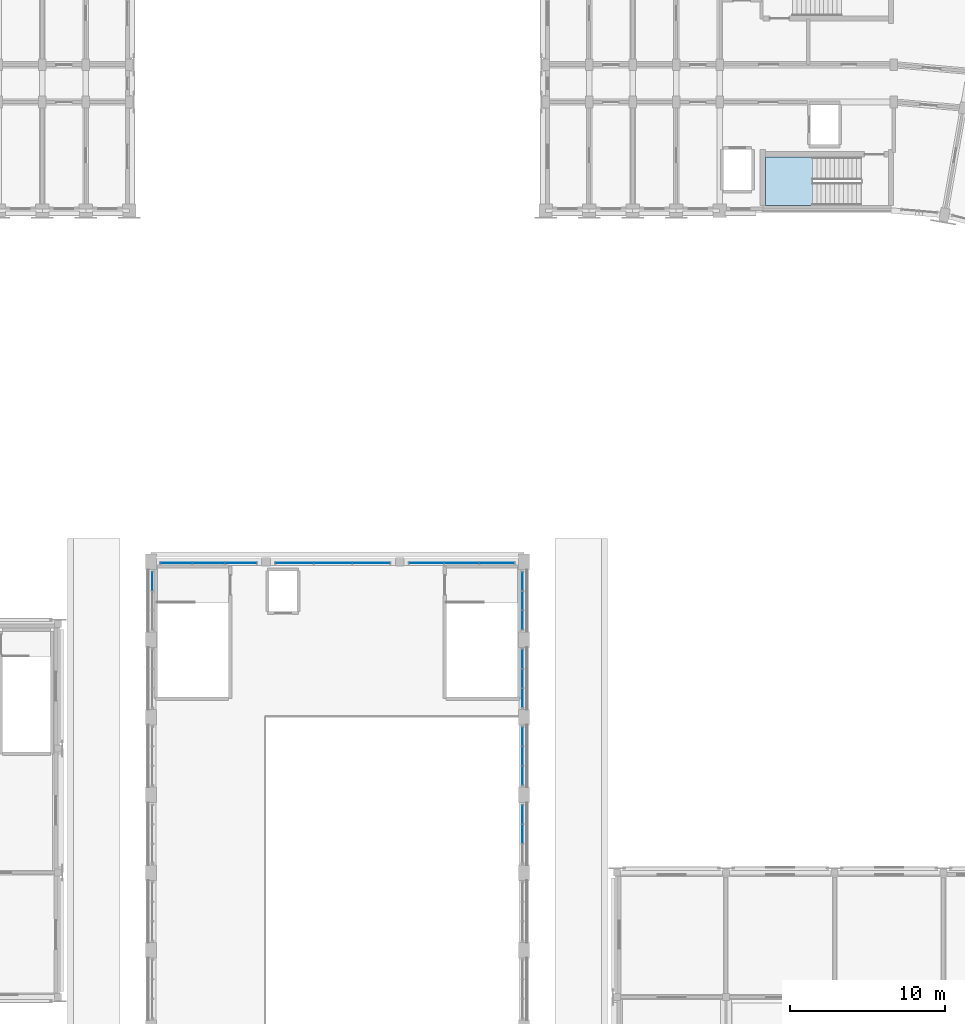
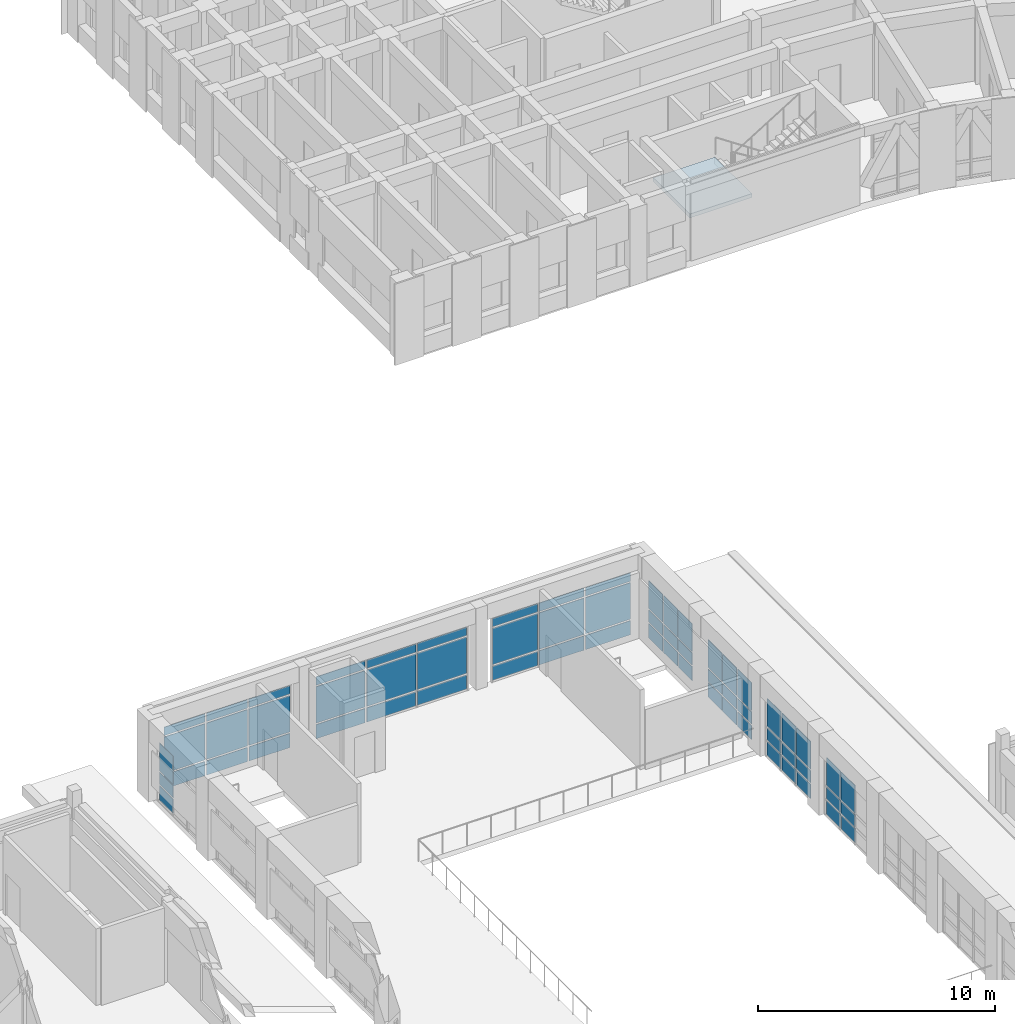
# One storey, part 51 of 97: 63 plates, 1 slab, 9 elements without a shape of their own.
"""IFC4 building model written with IfcOpenShell, lengths in metres."""

from ifc_helpers import new_model, si_unit, direction, frame, origin, origin_2d, place, context, subcontext, project, spatial, polyline, rectangle, outline, extrude, material, layer, layer_set, type_object, element, aggregate, save


model = new_model("IFC4")

# Units and contexts
model_context = context("Model", 3, precision=1e-05, world=origin(), true_north=direction((0.0, 1.0)))
body_context = subcontext(model_context, "Body", "Model", "MODEL_VIEW")
ifc_project = project(units=[si_unit("LENGTHUNIT", "METRE"), si_unit("AREAUNIT", "SQUARE_METRE"), si_unit("VOLUMEUNIT", "CUBIC_METRE"), si_unit("PLANEANGLEUNIT", "RADIAN"), si_unit("MASSUNIT", "GRAM", prefix="KILO")], contexts=[model_context])

# Site, building, storey
site_placement = place(None, origin())
site = spatial("IfcSite", under=ifc_project, at=site_placement, CompositionType="ELEMENT")
building_placement = place(site_placement, origin())
building = spatial("IfcBuilding", under=site, at=building_placement, Name="Kiranvali Square Residences", CompositionType="ELEMENT")
storey_placement = place(building_placement, frame((0.0, 0.0, 4.5)))
storey = spatial("IfcBuildingStorey", under=building, at=storey_placement, Name="L01", CompositionType="ELEMENT", Elevation=4.5)

# Curtain wall, plates
ifc_material_1 = material(Name="Anodised bronze aluminium framing", Category="aluminium")
curtain_wall_type = type_object("IfcCurtainWallType", Name="CW-CH-GLZ", PredefinedType="USERDEFINED", material=ifc_material_1)
curtain_wall_1_placement = place(storey_placement, origin())
curtain_wall_1 = element("IfcCurtainWall", 1, at=curtain_wall_1_placement, inside=storey, type_object=curtain_wall_type, Name="Community Hall L01 E clerestory bay 5", ObjectType="CURTAIN WALL", PredefinedType="USERDEFINED")
ifc_material_2 = material(Name="Solar-control low-e double glazing", Category="glass")
ifc_layer_1 = layer(ifc_material_2, 0.028076171875)
ifc_layer_set_1 = layer_set([ifc_layer_1], Name="Solar-control low-e double glazing")
plate_type_1 = type_object("IfcPlateType", Name="PLT-CW-GLZ", PredefinedType="CURTAIN_PANEL", material=ifc_layer_set_1)
plate_1_placement = place(storey_placement, frame((95.919921875, 66.5, 0.889892578125), z_axis=(0.0, 0.0, 1.0), x_axis=(0.0, 1.0, 0.0)))
plate_1 = element("IfcPlate", 2, at=plate_1_placement, type_object=plate_type_1, Name="CW-CH-L01-E5 glazed panel 2.2", PredefinedType="CURTAIN_PANEL", context=body_context, shape_type="SweptSolid", body=[
    extrude(rectangle(XDim=1.166748046875, YDim=0.028076171875, at=origin_2d()), origin(), (0.0, 0.0, 1.0), 0.6201171875),
])
plate_2_placement = place(storey_placement, frame((95.919921875, 66.5, 1.58984375), z_axis=(0.0, 0.0, 1.0), x_axis=(0.0, 1.0, 0.0)))
plate_2 = element("IfcPlate", 3, at=plate_2_placement, type_object=plate_type_1, Name="CW-CH-L01-E5 glazed panel 2.3", PredefinedType="CURTAIN_PANEL", context=body_context, shape_type="SweptSolid", body=[
    extrude(rectangle(XDim=1.166748046875, YDim=0.028076171875, at=origin_2d()), origin(), (0.0, 0.0, 1.0), 1.429931640625),
])
plate_3_placement = place(storey_placement, frame((95.919921875, 67.74658203125, 0.889892578125), z_axis=(0.0, 0.0, 1.0), x_axis=(0.0, 1.0, 0.0)))
plate_3 = element("IfcPlate", 4, at=plate_3_placement, type_object=plate_type_1, Name="CW-CH-L01-E5 glazed panel 3.2", PredefinedType="CURTAIN_PANEL", context=body_context, shape_type="SweptSolid", body=[
    extrude(rectangle(XDim=1.166748046875, YDim=0.028076171875, at=origin_2d()), origin(), (0.0, 0.0, 1.0), 0.6201171875),
])
plate_4_placement = place(storey_placement, frame((95.919921875, 67.74658203125, 1.58984375), z_axis=(0.0, 0.0, 1.0), x_axis=(0.0, 1.0, 0.0)))
plate_4 = element("IfcPlate", 5, at=plate_4_placement, type_object=plate_type_1, Name="CW-CH-L01-E5 glazed panel 3.3", PredefinedType="CURTAIN_PANEL", context=body_context, shape_type="SweptSolid", body=[
    extrude(rectangle(XDim=1.166748046875, YDim=0.028076171875, at=origin_2d()), origin(), (0.0, 0.0, 1.0), 1.429931640625),
])

curtain_wall_2_placement = place(storey_placement, origin())
curtain_wall_2 = element("IfcCurtainWall", 6, at=curtain_wall_2_placement, inside=storey, type_object=curtain_wall_type, Name="Community Hall L01 E clerestory bay 6", ObjectType="CURTAIN WALL", PredefinedType="USERDEFINED")
plate_5_placement = place(storey_placement, frame((95.919921875, 70.25341796875, 0.889892578125), z_axis=(0.0, 0.0, 1.0), x_axis=(0.0, 1.0, 0.0)))
plate_5 = element("IfcPlate", 7, at=plate_5_placement, type_object=plate_type_1, Name="CW-CH-L01-E6 glazed panel 1.2", PredefinedType="CURTAIN_PANEL", context=body_context, shape_type="SweptSolid", body=[
    extrude(rectangle(XDim=1.166748046875, YDim=0.028076171875, at=origin_2d()), origin(), (0.0, 0.0, 1.0), 0.6201171875),
])
plate_6_placement = place(storey_placement, frame((95.919921875, 70.25341796875, 1.58984375), z_axis=(0.0, 0.0, 1.0), x_axis=(0.0, 1.0, 0.0)))
plate_6 = element("IfcPlate", 8, at=plate_6_placement, type_object=plate_type_1, Name="CW-CH-L01-E6 glazed panel 1.3", PredefinedType="CURTAIN_PANEL", context=body_context, shape_type="SweptSolid", body=[
    extrude(rectangle(XDim=1.166748046875, YDim=0.028076171875, at=origin_2d()), origin(), (0.0, 0.0, 1.0), 1.429931640625),
])
plate_7_placement = place(storey_placement, frame((95.919921875, 71.5, 0.889892578125), z_axis=(0.0, 0.0, 1.0), x_axis=(0.0, 1.0, 0.0)))
plate_7 = element("IfcPlate", 9, at=plate_7_placement, type_object=plate_type_1, Name="CW-CH-L01-E6 glazed panel 2.2", PredefinedType="CURTAIN_PANEL", context=body_context, shape_type="SweptSolid", body=[
    extrude(rectangle(XDim=1.166748046875, YDim=0.028076171875, at=origin_2d()), origin(), (0.0, 0.0, 1.0), 0.6201171875),
])
plate_8_placement = place(storey_placement, frame((95.919921875, 71.5, 1.58984375), z_axis=(0.0, 0.0, 1.0), x_axis=(0.0, 1.0, 0.0)))
plate_8 = element("IfcPlate", 10, at=plate_8_placement, type_object=plate_type_1, Name="CW-CH-L01-E6 glazed panel 2.3", PredefinedType="CURTAIN_PANEL", context=body_context, shape_type="SweptSolid", body=[
    extrude(rectangle(XDim=1.166748046875, YDim=0.028076171875, at=origin_2d()), origin(), (0.0, 0.0, 1.0), 1.429931640625),
])
plate_9_placement = place(storey_placement, frame((95.919921875, 72.74658203125, 0.889892578125), z_axis=(0.0, 0.0, 1.0), x_axis=(0.0, 1.0, 0.0)))
plate_9 = element("IfcPlate", 11, at=plate_9_placement, type_object=plate_type_1, Name="CW-CH-L01-E6 glazed panel 3.2", PredefinedType="CURTAIN_PANEL", context=body_context, shape_type="SweptSolid", body=[
    extrude(rectangle(XDim=1.166748046875, YDim=0.028076171875, at=origin_2d()), origin(), (0.0, 0.0, 1.0), 0.6201171875),
])
plate_10_placement = place(storey_placement, frame((95.919921875, 72.74658203125, 1.58984375), z_axis=(0.0, 0.0, 1.0), x_axis=(0.0, 1.0, 0.0)))
plate_10 = element("IfcPlate", 12, at=plate_10_placement, type_object=plate_type_1, Name="CW-CH-L01-E6 glazed panel 3.3", PredefinedType="CURTAIN_PANEL", context=body_context, shape_type="SweptSolid", body=[
    extrude(rectangle(XDim=1.166748046875, YDim=0.028076171875, at=origin_2d()), origin(), (0.0, 0.0, 1.0), 1.429931640625),
])

curtain_wall_3_placement = place(storey_placement, origin())
curtain_wall_3 = element("IfcCurtainWall", 13, at=curtain_wall_3_placement, inside=storey, type_object=curtain_wall_type, Name="Community Hall L01 E clerestory bay 7", ObjectType="CURTAIN WALL", PredefinedType="USERDEFINED")
plate_11_placement = place(storey_placement, frame((95.919921875, 75.25341796875, 0.889892578125), z_axis=(0.0, 0.0, 1.0), x_axis=(0.0, 1.0, 0.0)))
plate_11 = element("IfcPlate", 14, at=plate_11_placement, type_object=plate_type_1, Name="CW-CH-L01-E7 glazed panel 1.2", PredefinedType="CURTAIN_PANEL", context=body_context, shape_type="SweptSolid", body=[
    extrude(rectangle(XDim=1.166748046875, YDim=0.028076171875, at=origin_2d()), origin(), (0.0, 0.0, 1.0), 0.6201171875),
])
plate_12_placement = place(storey_placement, frame((95.919921875, 75.25341796875, 1.58984375), z_axis=(0.0, 0.0, 1.0), x_axis=(0.0, 1.0, 0.0)))
plate_12 = element("IfcPlate", 15, at=plate_12_placement, type_object=plate_type_1, Name="CW-CH-L01-E7 glazed panel 1.3", PredefinedType="CURTAIN_PANEL", context=body_context, shape_type="SweptSolid", body=[
    extrude(rectangle(XDim=1.166748046875, YDim=0.028076171875, at=origin_2d()), origin(), (0.0, 0.0, 1.0), 1.429931640625),
])
plate_13_placement = place(storey_placement, frame((95.919921875, 76.5, 0.889892578125), z_axis=(0.0, 0.0, 1.0), x_axis=(0.0, 1.0, 0.0)))
plate_13 = element("IfcPlate", 16, at=plate_13_placement, type_object=plate_type_1, Name="CW-CH-L01-E7 glazed panel 2.2", PredefinedType="CURTAIN_PANEL", context=body_context, shape_type="SweptSolid", body=[
    extrude(rectangle(XDim=1.166748046875, YDim=0.028076171875, at=origin_2d()), origin(), (0.0, 0.0, 1.0), 0.6201171875),
])
plate_14_placement = place(storey_placement, frame((95.919921875, 76.5, 1.58984375), z_axis=(0.0, 0.0, 1.0), x_axis=(0.0, 1.0, 0.0)))
plate_14 = element("IfcPlate", 17, at=plate_14_placement, type_object=plate_type_1, Name="CW-CH-L01-E7 glazed panel 2.3", PredefinedType="CURTAIN_PANEL", context=body_context, shape_type="SweptSolid", body=[
    extrude(rectangle(XDim=1.166748046875, YDim=0.028076171875, at=origin_2d()), origin(), (0.0, 0.0, 1.0), 1.429931640625),
])
plate_15_placement = place(storey_placement, frame((95.919921875, 77.74658203125, 0.889892578125), z_axis=(0.0, 0.0, 1.0), x_axis=(0.0, 1.0, 0.0)))
plate_15 = element("IfcPlate", 18, at=plate_15_placement, type_object=plate_type_1, Name="CW-CH-L01-E7 glazed panel 3.2", PredefinedType="CURTAIN_PANEL", context=body_context, shape_type="SweptSolid", body=[
    extrude(rectangle(XDim=1.166748046875, YDim=0.028076171875, at=origin_2d()), origin(), (0.0, 0.0, 1.0), 0.6201171875),
])
plate_16_placement = place(storey_placement, frame((95.919921875, 77.74658203125, 1.58984375), z_axis=(0.0, 0.0, 1.0), x_axis=(0.0, 1.0, 0.0)))
plate_16 = element("IfcPlate", 19, at=plate_16_placement, type_object=plate_type_1, Name="CW-CH-L01-E7 glazed panel 3.3", PredefinedType="CURTAIN_PANEL", context=body_context, shape_type="SweptSolid", body=[
    extrude(rectangle(XDim=1.166748046875, YDim=0.028076171875, at=origin_2d()), origin(), (0.0, 0.0, 1.0), 1.429931640625),
])

curtain_wall_4_placement = place(storey_placement, origin())
curtain_wall_4 = element("IfcCurtainWall", 20, at=curtain_wall_4_placement, inside=storey, type_object=curtain_wall_type, Name="Community Hall L01 W clerestory bay 8", ObjectType="CURTAIN WALL", PredefinedType="USERDEFINED")
plate_17_placement = place(storey_placement, frame((72.080078125, 82.74658203125, 0.889892578125), z_axis=(0.0, 0.0, 1.0), x_axis=(0.0, 1.0, 0.0)))
plate_17 = element("IfcPlate", 21, at=plate_17_placement, type_object=plate_type_1, Name="CW-CH-L01-W8 glazed panel 3.2", PredefinedType="CURTAIN_PANEL", context=body_context, shape_type="SweptSolid", body=[
    extrude(rectangle(XDim=1.166748046875, YDim=0.028076171875, at=origin_2d()), origin(), (0.0, 0.0, 1.0), 0.6201171875),
])
plate_18_placement = place(storey_placement, frame((72.080078125, 82.74658203125, 1.58984375), z_axis=(0.0, 0.0, 1.0), x_axis=(0.0, 1.0, 0.0)))
plate_18 = element("IfcPlate", 22, at=plate_18_placement, type_object=plate_type_1, Name="CW-CH-L01-W8 glazed panel 3.3", PredefinedType="CURTAIN_PANEL", context=body_context, shape_type="SweptSolid", body=[
    extrude(rectangle(XDim=1.166748046875, YDim=0.028076171875, at=origin_2d()), origin(), (0.0, 0.0, 1.0), 1.429931640625),
])

curtain_wall_5_placement = place(storey_placement, origin())
curtain_wall_5 = element("IfcCurtainWall", 23, at=curtain_wall_5_placement, inside=storey, type_object=curtain_wall_type, Name="Community Hall L01 E clerestory bay 8", ObjectType="CURTAIN WALL", PredefinedType="USERDEFINED")
plate_19_placement = place(storey_placement, frame((95.919921875, 80.25341796875, 0.889892578125), z_axis=(0.0, 0.0, 1.0), x_axis=(0.0, 1.0, 0.0)))
plate_19 = element("IfcPlate", 24, at=plate_19_placement, type_object=plate_type_1, Name="CW-CH-L01-E8 glazed panel 1.2", PredefinedType="CURTAIN_PANEL", context=body_context, shape_type="SweptSolid", body=[
    extrude(rectangle(XDim=1.166748046875, YDim=0.028076171875, at=origin_2d()), origin(), (0.0, 0.0, 1.0), 0.6201171875),
])
plate_20_placement = place(storey_placement, frame((95.919921875, 80.25341796875, 1.58984375), z_axis=(0.0, 0.0, 1.0), x_axis=(0.0, 1.0, 0.0)))
plate_20 = element("IfcPlate", 25, at=plate_20_placement, type_object=plate_type_1, Name="CW-CH-L01-E8 glazed panel 1.3", PredefinedType="CURTAIN_PANEL", context=body_context, shape_type="SweptSolid", body=[
    extrude(rectangle(XDim=1.166748046875, YDim=0.028076171875, at=origin_2d()), origin(), (0.0, 0.0, 1.0), 1.429931640625),
])
plate_21_placement = place(storey_placement, frame((95.919921875, 81.5, 0.889892578125), z_axis=(0.0, 0.0, 1.0), x_axis=(0.0, 1.0, 0.0)))
plate_21 = element("IfcPlate", 26, at=plate_21_placement, type_object=plate_type_1, Name="CW-CH-L01-E8 glazed panel 2.2", PredefinedType="CURTAIN_PANEL", context=body_context, shape_type="SweptSolid", body=[
    extrude(rectangle(XDim=1.166748046875, YDim=0.028076171875, at=origin_2d()), origin(), (0.0, 0.0, 1.0), 0.6201171875),
])
plate_22_placement = place(storey_placement, frame((95.919921875, 81.5, 1.58984375), z_axis=(0.0, 0.0, 1.0), x_axis=(0.0, 1.0, 0.0)))
plate_22 = element("IfcPlate", 27, at=plate_22_placement, type_object=plate_type_1, Name="CW-CH-L01-E8 glazed panel 2.3", PredefinedType="CURTAIN_PANEL", context=body_context, shape_type="SweptSolid", body=[
    extrude(rectangle(XDim=1.166748046875, YDim=0.028076171875, at=origin_2d()), origin(), (0.0, 0.0, 1.0), 1.429931640625),
])
plate_23_placement = place(storey_placement, frame((95.919921875, 82.74658203125, 0.889892578125), z_axis=(0.0, 0.0, 1.0), x_axis=(0.0, 1.0, 0.0)))
plate_23 = element("IfcPlate", 28, at=plate_23_placement, type_object=plate_type_1, Name="CW-CH-L01-E8 glazed panel 3.2", PredefinedType="CURTAIN_PANEL", context=body_context, shape_type="SweptSolid", body=[
    extrude(rectangle(XDim=1.166748046875, YDim=0.028076171875, at=origin_2d()), origin(), (0.0, 0.0, 1.0), 0.6201171875),
])
plate_24_placement = place(storey_placement, frame((95.919921875, 82.74658203125, 1.58984375), z_axis=(0.0, 0.0, 1.0), x_axis=(0.0, 1.0, 0.0)))
plate_24 = element("IfcPlate", 29, at=plate_24_placement, type_object=plate_type_1, Name="CW-CH-L01-E8 glazed panel 3.3", PredefinedType="CURTAIN_PANEL", context=body_context, shape_type="SweptSolid", body=[
    extrude(rectangle(XDim=1.166748046875, YDim=0.028076171875, at=origin_2d()), origin(), (0.0, 0.0, 1.0), 1.429931640625),
])

curtain_wall_6_placement = place(storey_placement, origin())
curtain_wall_6 = element("IfcCurtainWall", 30, at=curtain_wall_6_placement, inside=storey, type_object=curtain_wall_type, Name="Community Hall N gallery bay 1", ObjectType="CURTAIN WALL", PredefinedType="USERDEFINED")
plate_25_placement = place(storey_placement, frame((73.63330078125, 83.919921875, 0.889892578125), z_axis=(0.0, 0.0, 1.0), x_axis=(1.0, 0.0, 0.0)))
plate_25 = element("IfcPlate", 31, at=plate_25_placement, type_object=plate_type_1, Name="CW-CH-GAB-N1-1 glazed panel 1.2", PredefinedType="CURTAIN_PANEL", context=body_context, shape_type="SweptSolid", body=[
    extrude(rectangle(XDim=1.98681640625, YDim=0.028076171875, at=origin_2d()), origin(), (0.0, 0.0, 1.0), 1.8701171875),
])
plate_26_placement = place(storey_placement, frame((73.63330078125, 83.919921875, 2.83984375), z_axis=(0.0, 0.0, 1.0), x_axis=(1.0, 0.0, 0.0)))
plate_26 = element("IfcPlate", 32, at=plate_26_placement, type_object=plate_type_1, Name="CW-CH-GAB-N1-1 glazed panel 1.3", PredefinedType="CURTAIN_PANEL", context=body_context, shape_type="SweptSolid", body=[
    extrude(rectangle(XDim=1.98681640625, YDim=0.028076171875, at=origin_2d()), origin(), (0.0, 0.0, 1.0), 0.429931640625),
])
plate_27_placement = place(storey_placement, frame((75.699951171875, 83.919921875, 0.889892578125), z_axis=(0.0, 0.0, 1.0), x_axis=(1.0, 0.0, 0.0)))
plate_27 = element("IfcPlate", 33, at=plate_27_placement, type_object=plate_type_1, Name="CW-CH-GAB-N1-1 glazed panel 2.2", PredefinedType="CURTAIN_PANEL", context=body_context, shape_type="SweptSolid", body=[
    extrude(rectangle(XDim=1.98681640625, YDim=0.028076171875, at=origin_2d()), origin(), (0.0, 0.0, 1.0), 1.8701171875),
])
plate_28_placement = place(storey_placement, frame((75.699951171875, 83.919921875, 2.83984375), z_axis=(0.0, 0.0, 1.0), x_axis=(1.0, 0.0, 0.0)))
plate_28 = element("IfcPlate", 34, at=plate_28_placement, type_object=plate_type_1, Name="CW-CH-GAB-N1-1 glazed panel 2.3", PredefinedType="CURTAIN_PANEL", context=body_context, shape_type="SweptSolid", body=[
    extrude(rectangle(XDim=1.98681640625, YDim=0.028076171875, at=origin_2d()), origin(), (0.0, 0.0, 1.0), 0.429931640625),
])
plate_29_placement = place(storey_placement, frame((77.7666015625, 83.919921875, 0.889892578125), z_axis=(0.0, 0.0, 1.0), x_axis=(1.0, 0.0, 0.0)))
plate_29 = element("IfcPlate", 35, at=plate_29_placement, type_object=plate_type_1, Name="CW-CH-GAB-N1-1 glazed panel 3.2", PredefinedType="CURTAIN_PANEL", context=body_context, shape_type="SweptSolid", body=[
    extrude(rectangle(XDim=1.98681640625, YDim=0.028076171875, at=origin_2d()), origin(), (0.0, 0.0, 1.0), 1.8701171875),
])
plate_30_placement = place(storey_placement, frame((77.7666015625, 83.919921875, 2.83984375), z_axis=(0.0, 0.0, 1.0), x_axis=(1.0, 0.0, 0.0)))
plate_30 = element("IfcPlate", 36, at=plate_30_placement, type_object=plate_type_1, Name="CW-CH-GAB-N1-1 glazed panel 3.3", PredefinedType="CURTAIN_PANEL", context=body_context, shape_type="SweptSolid", body=[
    extrude(rectangle(XDim=1.98681640625, YDim=0.028076171875, at=origin_2d()), origin(), (0.0, 0.0, 1.0), 0.429931640625),
])

curtain_wall_7_placement = place(storey_placement, origin())
curtain_wall_7 = element("IfcCurtainWall", 37, at=curtain_wall_7_placement, inside=storey, type_object=curtain_wall_type, Name="Community Hall N gallery bay 2", ObjectType="CURTAIN WALL", PredefinedType="USERDEFINED")
plate_31_placement = place(storey_placement, frame((81.2333984375, 83.919921875, 0.889892578125), z_axis=(0.0, 0.0, 1.0), x_axis=(1.0, 0.0, 0.0)))
plate_31 = element("IfcPlate", 38, at=plate_31_placement, type_object=plate_type_1, Name="CW-CH-GAB-N1-2 glazed panel 1.2", PredefinedType="CURTAIN_PANEL", context=body_context, shape_type="SweptSolid", body=[
    extrude(rectangle(XDim=2.38671875, YDim=0.028076171875, at=origin_2d()), origin(), (0.0, 0.0, 1.0), 1.8701171875),
])
plate_32_placement = place(storey_placement, frame((81.2333984375, 83.919921875, 2.83984375), z_axis=(0.0, 0.0, 1.0), x_axis=(1.0, 0.0, 0.0)))
plate_32 = element("IfcPlate", 39, at=plate_32_placement, type_object=plate_type_1, Name="CW-CH-GAB-N1-2 glazed panel 1.3", PredefinedType="CURTAIN_PANEL", context=body_context, shape_type="SweptSolid", body=[
    extrude(rectangle(XDim=2.38671875, YDim=0.028076171875, at=origin_2d()), origin(), (0.0, 0.0, 1.0), 0.429931640625),
])
plate_33_placement = place(storey_placement, frame((83.699951171875, 83.919921875, 0.889892578125), z_axis=(0.0, 0.0, 1.0), x_axis=(1.0, 0.0, 0.0)))
plate_33 = element("IfcPlate", 40, at=plate_33_placement, type_object=plate_type_1, Name="CW-CH-GAB-N1-2 glazed panel 2.2", PredefinedType="CURTAIN_PANEL", context=body_context, shape_type="SweptSolid", body=[
    extrude(rectangle(XDim=2.38671875, YDim=0.028076171875, at=origin_2d()), origin(), (0.0, 0.0, 1.0), 1.8701171875),
])
plate_34_placement = place(storey_placement, frame((83.699951171875, 83.919921875, 2.83984375), z_axis=(0.0, 0.0, 1.0), x_axis=(1.0, 0.0, 0.0)))
plate_34 = element("IfcPlate", 41, at=plate_34_placement, type_object=plate_type_1, Name="CW-CH-GAB-N1-2 glazed panel 2.3", PredefinedType="CURTAIN_PANEL", context=body_context, shape_type="SweptSolid", body=[
    extrude(rectangle(XDim=2.38671875, YDim=0.028076171875, at=origin_2d()), origin(), (0.0, 0.0, 1.0), 0.429931640625),
])
plate_35_placement = place(storey_placement, frame((86.166748046875, 83.919921875, 0.889892578125), z_axis=(0.0, 0.0, 1.0), x_axis=(1.0, 0.0, 0.0)))
plate_35 = element("IfcPlate", 42, at=plate_35_placement, type_object=plate_type_1, Name="CW-CH-GAB-N1-2 glazed panel 3.2", PredefinedType="CURTAIN_PANEL", context=body_context, shape_type="SweptSolid", body=[
    extrude(rectangle(XDim=2.38671875, YDim=0.028076171875, at=origin_2d()), origin(), (0.0, 0.0, 1.0), 1.8701171875),
])
plate_36_placement = place(storey_placement, frame((86.166748046875, 83.919921875, 2.83984375), z_axis=(0.0, 0.0, 1.0), x_axis=(1.0, 0.0, 0.0)))
plate_36 = element("IfcPlate", 43, at=plate_36_placement, type_object=plate_type_1, Name="CW-CH-GAB-N1-2 glazed panel 3.3", PredefinedType="CURTAIN_PANEL", context=body_context, shape_type="SweptSolid", body=[
    extrude(rectangle(XDim=2.38671875, YDim=0.028076171875, at=origin_2d()), origin(), (0.0, 0.0, 1.0), 0.429931640625),
])

curtain_wall_8_placement = place(storey_placement, origin())
curtain_wall_8 = element("IfcCurtainWall", 44, at=curtain_wall_8_placement, inside=storey, type_object=curtain_wall_type, Name="Community Hall N gallery bay 3", ObjectType="CURTAIN WALL", PredefinedType="USERDEFINED")
plate_37_placement = place(storey_placement, frame((89.7333984375, 83.919921875, 0.889892578125), z_axis=(0.0, 0.0, 1.0), x_axis=(1.0, 0.0, 0.0)))
plate_37 = element("IfcPlate", 45, at=plate_37_placement, type_object=plate_type_1, Name="CW-CH-GAB-N1-3 glazed panel 1.2", PredefinedType="CURTAIN_PANEL", context=body_context, shape_type="SweptSolid", body=[
    extrude(rectangle(XDim=2.186767578125, YDim=0.028076171875, at=origin_2d()), origin(), (0.0, 0.0, 1.0), 1.8701171875),
])
plate_38_placement = place(storey_placement, frame((89.7333984375, 83.919921875, 2.83984375), z_axis=(0.0, 0.0, 1.0), x_axis=(1.0, 0.0, 0.0)))
plate_38 = element("IfcPlate", 46, at=plate_38_placement, type_object=plate_type_1, Name="CW-CH-GAB-N1-3 glazed panel 1.3", PredefinedType="CURTAIN_PANEL", context=body_context, shape_type="SweptSolid", body=[
    extrude(rectangle(XDim=2.186767578125, YDim=0.028076171875, at=origin_2d()), origin(), (0.0, 0.0, 1.0), 0.429931640625),
])
plate_39_placement = place(storey_placement, frame((92.0, 83.919921875, 0.889892578125), z_axis=(0.0, 0.0, 1.0), x_axis=(1.0, 0.0, 0.0)))
plate_39 = element("IfcPlate", 47, at=plate_39_placement, type_object=plate_type_1, Name="CW-CH-GAB-N1-3 glazed panel 2.2", PredefinedType="CURTAIN_PANEL", context=body_context, shape_type="SweptSolid", body=[
    extrude(rectangle(XDim=2.186767578125, YDim=0.028076171875, at=origin_2d()), origin(), (0.0, 0.0, 1.0), 1.8701171875),
])
plate_40_placement = place(storey_placement, frame((92.0, 83.919921875, 2.83984375), z_axis=(0.0, 0.0, 1.0), x_axis=(1.0, 0.0, 0.0)))
plate_40 = element("IfcPlate", 48, at=plate_40_placement, type_object=plate_type_1, Name="CW-CH-GAB-N1-3 glazed panel 2.3", PredefinedType="CURTAIN_PANEL", context=body_context, shape_type="SweptSolid", body=[
    extrude(rectangle(XDim=2.186767578125, YDim=0.028076171875, at=origin_2d()), origin(), (0.0, 0.0, 1.0), 0.429931640625),
])
plate_41_placement = place(storey_placement, frame((94.2666015625, 83.919921875, 0.889892578125), z_axis=(0.0, 0.0, 1.0), x_axis=(1.0, 0.0, 0.0)))
plate_41 = element("IfcPlate", 49, at=plate_41_placement, type_object=plate_type_1, Name="CW-CH-GAB-N1-3 glazed panel 3.2", PredefinedType="CURTAIN_PANEL", context=body_context, shape_type="SweptSolid", body=[
    extrude(rectangle(XDim=2.186767578125, YDim=0.028076171875, at=origin_2d()), origin(), (0.0, 0.0, 1.0), 1.8701171875),
])
plate_42_placement = place(storey_placement, frame((94.2666015625, 83.919921875, 2.83984375), z_axis=(0.0, 0.0, 1.0), x_axis=(1.0, 0.0, 0.0)))
plate_42 = element("IfcPlate", 50, at=plate_42_placement, type_object=plate_type_1, Name="CW-CH-GAB-N1-3 glazed panel 3.3", PredefinedType="CURTAIN_PANEL", context=body_context, shape_type="SweptSolid", body=[
    extrude(rectangle(XDim=2.186767578125, YDim=0.028076171875, at=origin_2d()), origin(), (0.0, 0.0, 1.0), 0.429931640625),
])

# Plate
ifc_material_3 = material(Name="Honed Porbandar limestone ashlar facade cladding", Category="masonry")
ifc_layer_2 = layer(ifc_material_3, 0.02392578125)
ifc_layer_set_2 = layer_set([ifc_layer_2], Name="Honed Porbandar limestone ashlar facade cladding")
plate_type_2 = type_object("IfcPlateType", Name="PLT-CW-SPN", PredefinedType="SHEET", material=ifc_layer_set_2)
plate_43_placement = place(storey_placement, frame((95.919921875, 66.5, 0.080078125), z_axis=(0.0, 0.0, 1.0), x_axis=(0.0, 1.0, 0.0)))
plate_43 = element("IfcPlate", 51, at=plate_43_placement, type_object=plate_type_2, Name="CW-CH-L01-E5 spandrel panel 2.1", PredefinedType="SHEET", context=body_context, shape_type="SweptSolid", body=[
    extrude(rectangle(XDim=1.166748046875, YDim=0.02392578125, at=origin_2d()), origin(), (0.0, 0.0, 1.0), 0.72998046875),
])

plate_44_placement = place(storey_placement, frame((95.919921875, 67.74658203125, 0.080078125), z_axis=(0.0, 0.0, 1.0), x_axis=(0.0, 1.0, 0.0)))
plate_44 = element("IfcPlate", 52, at=plate_44_placement, type_object=plate_type_2, Name="CW-CH-L01-E5 spandrel panel 3.1", PredefinedType="SHEET", context=body_context, shape_type="SweptSolid", body=[
    extrude(rectangle(XDim=1.166748046875, YDim=0.02392578125, at=origin_2d()), origin(), (0.0, 0.0, 1.0), 0.72998046875),
])

aggregate(curtain_wall_1, [plate_43, plate_1, plate_2, plate_44, plate_3, plate_4])

plate_45_placement = place(storey_placement, frame((95.919921875, 70.25341796875, 0.080078125), z_axis=(0.0, 0.0, 1.0), x_axis=(0.0, 1.0, 0.0)))
plate_45 = element("IfcPlate", 53, at=plate_45_placement, type_object=plate_type_2, Name="CW-CH-L01-E6 spandrel panel 1.1", PredefinedType="SHEET", context=body_context, shape_type="SweptSolid", body=[
    extrude(rectangle(XDim=1.166748046875, YDim=0.02392578125, at=origin_2d()), origin(), (0.0, 0.0, 1.0), 0.72998046875),
])

plate_46_placement = place(storey_placement, frame((95.919921875, 71.5, 0.080078125), z_axis=(0.0, 0.0, 1.0), x_axis=(0.0, 1.0, 0.0)))
plate_46 = element("IfcPlate", 54, at=plate_46_placement, type_object=plate_type_2, Name="CW-CH-L01-E6 spandrel panel 2.1", PredefinedType="SHEET", context=body_context, shape_type="SweptSolid", body=[
    extrude(rectangle(XDim=1.166748046875, YDim=0.02392578125, at=origin_2d()), origin(), (0.0, 0.0, 1.0), 0.72998046875),
])

plate_47_placement = place(storey_placement, frame((95.919921875, 72.74658203125, 0.080078125), z_axis=(0.0, 0.0, 1.0), x_axis=(0.0, 1.0, 0.0)))
plate_47 = element("IfcPlate", 55, at=plate_47_placement, type_object=plate_type_2, Name="CW-CH-L01-E6 spandrel panel 3.1", PredefinedType="SHEET", context=body_context, shape_type="SweptSolid", body=[
    extrude(rectangle(XDim=1.166748046875, YDim=0.02392578125, at=origin_2d()), origin(), (0.0, 0.0, 1.0), 0.72998046875),
])

aggregate(curtain_wall_2, [plate_45, plate_5, plate_6, plate_46, plate_7, plate_8, plate_47, plate_9, plate_10])

plate_48_placement = place(storey_placement, frame((95.919921875, 75.25341796875, 0.080078125), z_axis=(0.0, 0.0, 1.0), x_axis=(0.0, 1.0, 0.0)))
plate_48 = element("IfcPlate", 56, at=plate_48_placement, type_object=plate_type_2, Name="CW-CH-L01-E7 spandrel panel 1.1", PredefinedType="SHEET", context=body_context, shape_type="SweptSolid", body=[
    extrude(rectangle(XDim=1.166748046875, YDim=0.02392578125, at=origin_2d()), origin(), (0.0, 0.0, 1.0), 0.72998046875),
])

plate_49_placement = place(storey_placement, frame((95.919921875, 76.5, 0.080078125), z_axis=(0.0, 0.0, 1.0), x_axis=(0.0, 1.0, 0.0)))
plate_49 = element("IfcPlate", 57, at=plate_49_placement, type_object=plate_type_2, Name="CW-CH-L01-E7 spandrel panel 2.1", PredefinedType="SHEET", context=body_context, shape_type="SweptSolid", body=[
    extrude(rectangle(XDim=1.166748046875, YDim=0.02392578125, at=origin_2d()), origin(), (0.0, 0.0, 1.0), 0.72998046875),
])

plate_50_placement = place(storey_placement, frame((95.919921875, 77.74658203125, 0.080078125), z_axis=(0.0, 0.0, 1.0), x_axis=(0.0, 1.0, 0.0)))
plate_50 = element("IfcPlate", 58, at=plate_50_placement, type_object=plate_type_2, Name="CW-CH-L01-E7 spandrel panel 3.1", PredefinedType="SHEET", context=body_context, shape_type="SweptSolid", body=[
    extrude(rectangle(XDim=1.166748046875, YDim=0.02392578125, at=origin_2d()), origin(), (0.0, 0.0, 1.0), 0.72998046875),
])

aggregate(curtain_wall_3, [plate_48, plate_11, plate_12, plate_49, plate_13, plate_14, plate_50, plate_15, plate_16])

plate_51_placement = place(storey_placement, frame((72.080078125, 82.74658203125, 0.080078125), z_axis=(0.0, 0.0, 1.0), x_axis=(0.0, 1.0, 0.0)))
plate_51 = element("IfcPlate", 59, at=plate_51_placement, type_object=plate_type_2, Name="CW-CH-L01-W8 spandrel panel 3.1", PredefinedType="SHEET", context=body_context, shape_type="SweptSolid", body=[
    extrude(rectangle(XDim=1.166748046875, YDim=0.02392578125, at=origin_2d()), origin(), (0.0, 0.0, 1.0), 0.72998046875),
])

aggregate(curtain_wall_4, [plate_51, plate_17, plate_18])

plate_52_placement = place(storey_placement, frame((95.919921875, 80.25341796875, 0.080078125), z_axis=(0.0, 0.0, 1.0), x_axis=(0.0, 1.0, 0.0)))
plate_52 = element("IfcPlate", 60, at=plate_52_placement, type_object=plate_type_2, Name="CW-CH-L01-E8 spandrel panel 1.1", PredefinedType="SHEET", context=body_context, shape_type="SweptSolid", body=[
    extrude(rectangle(XDim=1.166748046875, YDim=0.02392578125, at=origin_2d()), origin(), (0.0, 0.0, 1.0), 0.72998046875),
])

plate_53_placement = place(storey_placement, frame((95.919921875, 81.5, 0.080078125), z_axis=(0.0, 0.0, 1.0), x_axis=(0.0, 1.0, 0.0)))
plate_53 = element("IfcPlate", 61, at=plate_53_placement, type_object=plate_type_2, Name="CW-CH-L01-E8 spandrel panel 2.1", PredefinedType="SHEET", context=body_context, shape_type="SweptSolid", body=[
    extrude(rectangle(XDim=1.166748046875, YDim=0.02392578125, at=origin_2d()), origin(), (0.0, 0.0, 1.0), 0.72998046875),
])

plate_54_placement = place(storey_placement, frame((95.919921875, 82.74658203125, 0.080078125), z_axis=(0.0, 0.0, 1.0), x_axis=(0.0, 1.0, 0.0)))
plate_54 = element("IfcPlate", 62, at=plate_54_placement, type_object=plate_type_2, Name="CW-CH-L01-E8 spandrel panel 3.1", PredefinedType="SHEET", context=body_context, shape_type="SweptSolid", body=[
    extrude(rectangle(XDim=1.166748046875, YDim=0.02392578125, at=origin_2d()), origin(), (0.0, 0.0, 1.0), 0.72998046875),
])

aggregate(curtain_wall_5, [plate_52, plate_19, plate_20, plate_53, plate_21, plate_22, plate_54, plate_23, plate_24])

plate_55_placement = place(storey_placement, frame((73.63330078125, 83.919921875, 0.080078125), z_axis=(0.0, 0.0, 1.0), x_axis=(1.0, 0.0, 0.0)))
plate_55 = element("IfcPlate", 63, at=plate_55_placement, type_object=plate_type_2, Name="CW-CH-GAB-N1-1 spandrel panel 1.1", PredefinedType="SHEET", context=body_context, shape_type="SweptSolid", body=[
    extrude(rectangle(XDim=1.98681640625, YDim=0.02392578125, at=origin_2d()), origin(), (0.0, 0.0, 1.0), 0.72998046875),
])

plate_56_placement = place(storey_placement, frame((75.699951171875, 83.919921875, 0.080078125), z_axis=(0.0, 0.0, 1.0), x_axis=(1.0, 0.0, 0.0)))
plate_56 = element("IfcPlate", 64, at=plate_56_placement, type_object=plate_type_2, Name="CW-CH-GAB-N1-1 spandrel panel 2.1", PredefinedType="SHEET", context=body_context, shape_type="SweptSolid", body=[
    extrude(rectangle(XDim=1.98681640625, YDim=0.02392578125, at=origin_2d()), origin(), (0.0, 0.0, 1.0), 0.72998046875),
])

plate_57_placement = place(storey_placement, frame((77.7666015625, 83.919921875, 0.080078125), z_axis=(0.0, 0.0, 1.0), x_axis=(1.0, 0.0, 0.0)))
plate_57 = element("IfcPlate", 65, at=plate_57_placement, type_object=plate_type_2, Name="CW-CH-GAB-N1-1 spandrel panel 3.1", PredefinedType="SHEET", context=body_context, shape_type="SweptSolid", body=[
    extrude(rectangle(XDim=1.98681640625, YDim=0.02392578125, at=origin_2d()), origin(), (0.0, 0.0, 1.0), 0.72998046875),
])

aggregate(curtain_wall_6, [plate_55, plate_25, plate_26, plate_56, plate_27, plate_28, plate_57, plate_29, plate_30])

plate_58_placement = place(storey_placement, frame((81.2333984375, 83.919921875, 0.080078125), z_axis=(0.0, 0.0, 1.0), x_axis=(1.0, 0.0, 0.0)))
plate_58 = element("IfcPlate", 66, at=plate_58_placement, type_object=plate_type_2, Name="CW-CH-GAB-N1-2 spandrel panel 1.1", PredefinedType="SHEET", context=body_context, shape_type="SweptSolid", body=[
    extrude(rectangle(XDim=2.38671875, YDim=0.02392578125, at=origin_2d()), origin(), (0.0, 0.0, 1.0), 0.72998046875),
])

plate_59_placement = place(storey_placement, frame((83.699951171875, 83.919921875, 0.080078125), z_axis=(0.0, 0.0, 1.0), x_axis=(1.0, 0.0, 0.0)))
plate_59 = element("IfcPlate", 67, at=plate_59_placement, type_object=plate_type_2, Name="CW-CH-GAB-N1-2 spandrel panel 2.1", PredefinedType="SHEET", context=body_context, shape_type="SweptSolid", body=[
    extrude(rectangle(XDim=2.38671875, YDim=0.02392578125, at=origin_2d()), origin(), (0.0, 0.0, 1.0), 0.72998046875),
])

plate_60_placement = place(storey_placement, frame((86.166748046875, 83.919921875, 0.080078125), z_axis=(0.0, 0.0, 1.0), x_axis=(1.0, 0.0, 0.0)))
plate_60 = element("IfcPlate", 68, at=plate_60_placement, type_object=plate_type_2, Name="CW-CH-GAB-N1-2 spandrel panel 3.1", PredefinedType="SHEET", context=body_context, shape_type="SweptSolid", body=[
    extrude(rectangle(XDim=2.38671875, YDim=0.02392578125, at=origin_2d()), origin(), (0.0, 0.0, 1.0), 0.72998046875),
])

aggregate(curtain_wall_7, [plate_58, plate_31, plate_32, plate_59, plate_33, plate_34, plate_60, plate_35, plate_36])

plate_61_placement = place(storey_placement, frame((89.7333984375, 83.919921875, 0.080078125), z_axis=(0.0, 0.0, 1.0), x_axis=(1.0, 0.0, 0.0)))
plate_61 = element("IfcPlate", 69, at=plate_61_placement, type_object=plate_type_2, Name="CW-CH-GAB-N1-3 spandrel panel 1.1", PredefinedType="SHEET", context=body_context, shape_type="SweptSolid", body=[
    extrude(rectangle(XDim=2.186767578125, YDim=0.02392578125, at=origin_2d()), origin(), (0.0, 0.0, 1.0), 0.72998046875),
])

plate_62_placement = place(storey_placement, frame((92.0, 83.919921875, 0.080078125), z_axis=(0.0, 0.0, 1.0), x_axis=(1.0, 0.0, 0.0)))
plate_62 = element("IfcPlate", 70, at=plate_62_placement, type_object=plate_type_2, Name="CW-CH-GAB-N1-3 spandrel panel 2.1", PredefinedType="SHEET", context=body_context, shape_type="SweptSolid", body=[
    extrude(rectangle(XDim=2.186767578125, YDim=0.02392578125, at=origin_2d()), origin(), (0.0, 0.0, 1.0), 0.72998046875),
])

plate_63_placement = place(storey_placement, frame((94.2666015625, 83.919921875, 0.080078125), z_axis=(0.0, 0.0, 1.0), x_axis=(1.0, 0.0, 0.0)))
plate_63 = element("IfcPlate", 71, at=plate_63_placement, type_object=plate_type_2, Name="CW-CH-GAB-N1-3 spandrel panel 3.1", PredefinedType="SHEET", context=body_context, shape_type="SweptSolid", body=[
    extrude(rectangle(XDim=2.186767578125, YDim=0.02392578125, at=origin_2d()), origin(), (0.0, 0.0, 1.0), 0.72998046875),
])

aggregate(curtain_wall_8, [plate_61, plate_37, plate_38, plate_62, plate_39, plate_40, plate_63, plate_41, plate_42])

# Stair, slab
ifc_material_4 = material(Name="Concrete M35 (35 MPa)", Category="concrete")
stair_type = type_object("IfcStairType", Name="ST-CORE-1700", PredefinedType="HALF_TURN_STAIR", material=ifc_material_4)
stair_placement = place(storey_placement, origin())
stair = element("IfcStair", 72, at=stair_placement, inside=storey, type_object=stair_type, Name="L01 Block B Protected Exit Stair 2", PredefinedType="HALF_TURN_STAIR")
ifc_layer_3 = layer(ifc_material_4, 0.199951171875)
ifc_layer_set_3 = layer_set([ifc_layer_3], Name="Concrete M35 (35 MPa)")
slab_type = type_object("IfcSlabType", Name="SLB-LND-200", PredefinedType="LANDING", material=ifc_layer_set_3)
slab_placement = place(storey_placement, frame((0.0, 0.0, 1.89990234375)))
slab = element("IfcSlab", 73, at=slab_placement, type_object=slab_type, Name="ST-B2 landing 1", PredefinedType="LANDING", context=body_context, shape_type="SweptSolid", body=[
    extrude(outline(polyline([(114.56494140625, 110.050048828125), (111.550048828125, 110.050048828125), (111.550048828125, 106.949951171875), (114.56494140625, 106.949951171875), (114.56494140625, 110.050048828125)])), origin(), (0.0, 0.0, 1.0), 0.2001953125),
])
aggregate(stair, [slab])

save(model, "model.ifc")
